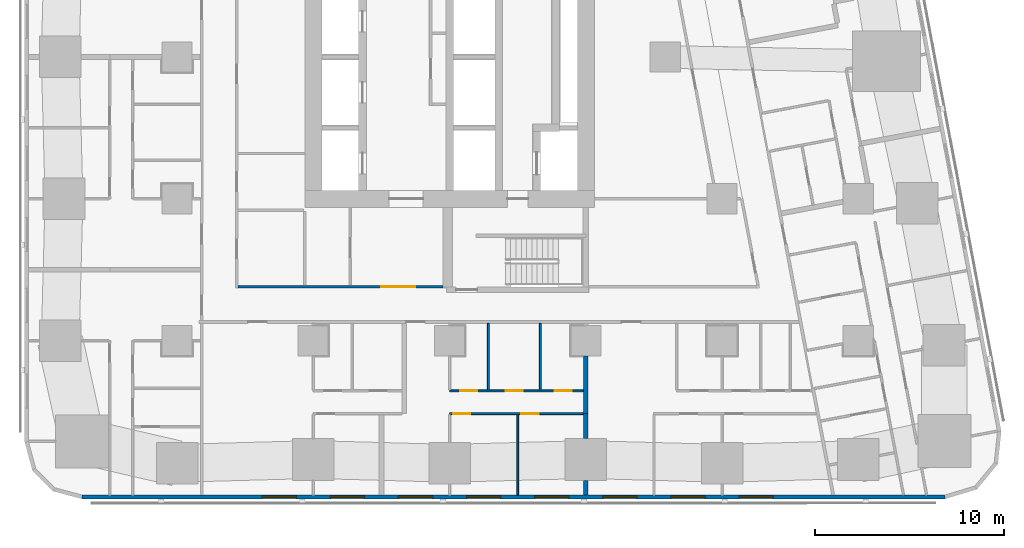
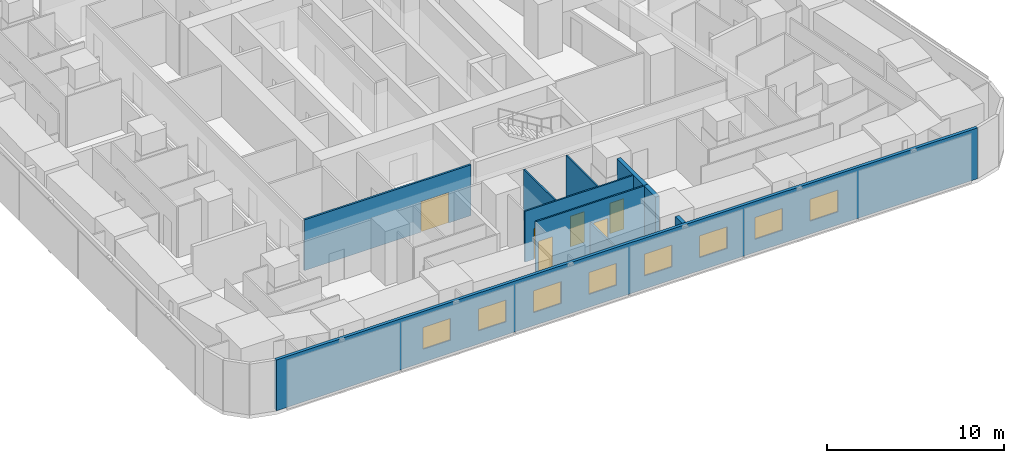
# One storey, part 3 of 17: 10 walls, 8 windows, 6 doors, 14 openings.
"""IFC4 building model written with IfcOpenShell, lengths in metres."""

from ifc_helpers import new_model, si_unit, direction, frame, frame_2d, origin, place, context, subcontext, project, spatial, rectangle, extrude, material, layer, layer_set, type_object, element, fill, save


model = new_model("IFC4")

# Units and contexts
model_context = context("Model", 3, precision=1e-05, world=origin(), true_north=direction((0.0, 1.0)))
body_context = subcontext(model_context, "Body", "Model", "MODEL_VIEW")
ifc_project = project(units=[si_unit("LENGTHUNIT", "METRE"), si_unit("AREAUNIT", "SQUARE_METRE"), si_unit("VOLUMEUNIT", "CUBIC_METRE"), si_unit("PLANEANGLEUNIT", "RADIAN"), si_unit("MASSUNIT", "GRAM", prefix="KILO")], contexts=[model_context])

# Site, building, storey
site_placement = place(None, origin())
site = spatial("IfcSite", under=ifc_project, at=site_placement, CompositionType="ELEMENT")
building_placement = place(site_placement, origin())
building = spatial("IfcBuilding", under=site, at=building_placement, Name="Sheger Commons Tower", CompositionType="ELEMENT")
storey_placement = place(building_placement, frame((0.0, 0.0, 111.64990234375)))
storey = spatial("IfcBuildingStorey", under=building, at=storey_placement, Name="L28", CompositionType="ELEMENT", Elevation=111.64990234375)

# Walls
ifc_material_1 = material(Name="Dense concrete block masonry, plastered both sides (separating wall between flats)", Category="masonry")
ifc_layer_1 = layer(ifc_material_1, 0.25)
ifc_layer_set_1 = layer_set([ifc_layer_1], Name="DEMISING WALL 250")
wall_type_1 = type_object("IfcWallType", Name="DEMISING WALL 250", PredefinedType="SOLIDWALL", material=ifc_layer_set_1)
wall_1_placement = place(storey_placement, frame((28.800048828125, -0.64990234375, 0.0), z_axis=(0.0, 0.0, 1.0), x_axis=(0.0, 1.0, 0.0)))
element("IfcWall", 1, at=wall_1_placement, inside=storey, type_object=wall_type_1, Name="Demising wall L28", PredefinedType="SOLIDWALL", context=body_context, shape_type="SweptSolid", body=[
    extrude(rectangle(XDim=0.77392578125, YDim=0.25, at=frame_2d((0.386962890625, 0.0))), origin(), (0.0, 0.0, 1.0), 3.5),
])
wall_2_placement = place(storey_placement, frame((28.800048828125, 2.325927734375, 0.0), z_axis=(0.0, 0.0, 1.0), x_axis=(0.0, 1.0, 0.0)))
element("IfcWall", 2, at=wall_2_placement, inside=storey, type_object=wall_type_1, Name="Demising wall L28", PredefinedType="SOLIDWALL", context=body_context, shape_type="SweptSolid", body=[
    extrude(rectangle(XDim=1.323974609375, YDim=0.25, at=frame_2d((0.662109375, 0.0))), origin(), (0.0, 0.0, 1.0), 3.5),
])
wall_3_placement = place(storey_placement, frame((28.800048828125, 3.64990234375, 0.0), z_axis=(0.0, 0.0, 1.0), x_axis=(0.0, 1.0, 0.0)))
element("IfcWall", 3, at=wall_3_placement, inside=storey, type_object=wall_type_1, Name="Demising wall L28", PredefinedType="SOLIDWALL", context=body_context, shape_type="SweptSolid", body=[
    extrude(rectangle(XDim=3.049072265625, YDim=0.25, at=frame_2d((1.5244140625, 0.0))), origin(), (0.0, 0.0, 1.0), 3.5),
])

# Wall, openings, windows
ifc_material_2 = material(Name="Rendered concrete block masonry, dark grey", Category="masonry")
ifc_layer_2 = layer(ifc_material_2, 0.199951171875)
ifc_layer_set_2 = layer_set([ifc_layer_2], Name="FACADE WALL 200")
wall_type_2 = type_object("IfcWallType", Name="FACADE WALL 200", PredefinedType="SOLIDWALL", material=ifc_layer_set_2)
wall_4_placement = place(storey_placement, frame((2.1630859375, -0.75, 0.0), z_axis=(0.0, 0.0, 1.0), x_axis=(1.0, 0.0, 0.0)))
wall_4 = element("IfcWall", 4, at=wall_4_placement, inside=storey, type_object=wall_type_2, Name="Facade wall L28", PredefinedType="SOLIDWALL", context=body_context, shape_type="SweptSolid", body=[
    extrude(rectangle(XDim=45.6279296875, YDim=0.199951171875, at=frame_2d((22.81396484375, 0.0))), origin(), (0.0, 0.0, 1.0), 3.5),
])
opening_1_placement = place(wall_4_placement, frame((9.537109375, 0.0, 0.89990234375)))
opening_1 = element("IfcOpeningElement", 5, at=opening_1_placement, cuts=wall_4, Name="Opening W2", PredefinedType="OPENING", context=body_context, shape_type="SweptSolid", body=[
    extrude(rectangle(XDim=1.800048828125, YDim=1.5, at=frame_2d((0.89990234375, 0.75))), frame((0.0, 0.10986328125, 0.0), z_axis=(0.0, -1.0, 0.0), x_axis=(1.0, 0.0, 0.0)), (0.0, 0.0, 1.0), 0.219970703125),
])
opening_2_placement = place(wall_4_placement, frame((13.136962890625, 0.0, 0.89990234375)))
opening_2 = element("IfcOpeningElement", 6, at=opening_2_placement, cuts=wall_4, Name="Opening W2", PredefinedType="OPENING", context=body_context, shape_type="SweptSolid", body=[
    extrude(rectangle(XDim=1.800048828125, YDim=1.5, at=frame_2d((0.89990234375, 0.75))), frame((0.0, 0.10986328125, 0.0), z_axis=(0.0, -1.0, 0.0), x_axis=(1.0, 0.0, 0.0)), (0.0, 0.0, 1.0), 0.219970703125),
])
opening_3_placement = place(wall_4_placement, frame((16.737060546875, 0.0, 0.89990234375)))
opening_3 = element("IfcOpeningElement", 7, at=opening_3_placement, cuts=wall_4, Name="Opening W2", PredefinedType="OPENING", context=body_context, shape_type="SweptSolid", body=[
    extrude(rectangle(XDim=1.800048828125, YDim=1.5, at=frame_2d((0.89990234375, 0.75))), frame((0.0, 0.10986328125, 0.0), z_axis=(0.0, -1.0, 0.0), x_axis=(1.0, 0.0, 0.0)), (0.0, 0.0, 1.0), 0.219970703125),
])
opening_4_placement = place(wall_4_placement, frame((20.3369140625, 0.0, 0.89990234375)))
opening_4 = element("IfcOpeningElement", 8, at=opening_4_placement, cuts=wall_4, Name="Opening W2", PredefinedType="OPENING", context=body_context, shape_type="SweptSolid", body=[
    extrude(rectangle(XDim=1.800048828125, YDim=1.5, at=frame_2d((0.89990234375, 0.75))), frame((0.0, 0.10986328125, 0.0), z_axis=(0.0, -1.0, 0.0), x_axis=(1.0, 0.0, 0.0)), (0.0, 0.0, 1.0), 0.219970703125),
])
opening_5_placement = place(wall_4_placement, frame((23.93701171875, 0.0, 0.89990234375)))
opening_5 = element("IfcOpeningElement", 9, at=opening_5_placement, cuts=wall_4, Name="Opening W2", PredefinedType="OPENING", context=body_context, shape_type="SweptSolid", body=[
    extrude(rectangle(XDim=1.800048828125, YDim=1.5, at=frame_2d((0.89990234375, 0.75))), frame((0.0, 0.10986328125, 0.0), z_axis=(0.0, -1.0, 0.0), x_axis=(1.0, 0.0, 0.0)), (0.0, 0.0, 1.0), 0.219970703125),
])
opening_6_placement = place(wall_4_placement, frame((27.537109375, 0.0, 0.89990234375)))
opening_6 = element("IfcOpeningElement", 10, at=opening_6_placement, cuts=wall_4, Name="Opening W2", PredefinedType="OPENING", context=body_context, shape_type="SweptSolid", body=[
    extrude(rectangle(XDim=1.800048828125, YDim=1.5, at=frame_2d((0.89990234375, 0.75))), frame((0.0, 0.10986328125, 0.0), z_axis=(0.0, -1.0, 0.0), x_axis=(1.0, 0.0, 0.0)), (0.0, 0.0, 1.0), 0.219970703125),
])
opening_7_placement = place(wall_4_placement, frame((31.136962890625, 0.0, 0.89990234375)))
opening_7 = element("IfcOpeningElement", 11, at=opening_7_placement, cuts=wall_4, Name="Opening W2", PredefinedType="OPENING", context=body_context, shape_type="SweptSolid", body=[
    extrude(rectangle(XDim=1.800048828125, YDim=1.5, at=frame_2d((0.89990234375, 0.75))), frame((0.0, 0.10986328125, 0.0), z_axis=(0.0, -1.0, 0.0), x_axis=(1.0, 0.0, 0.0)), (0.0, 0.0, 1.0), 0.219970703125),
])
opening_8_placement = place(wall_4_placement, frame((34.737060546875, 0.0, 0.89990234375)))
opening_8 = element("IfcOpeningElement", 12, at=opening_8_placement, cuts=wall_4, Name="Opening W2", PredefinedType="OPENING", context=body_context, shape_type="SweptSolid", body=[
    extrude(rectangle(XDim=1.800048828125, YDim=1.5, at=frame_2d((0.89990234375, 0.75))), frame((0.0, 0.10986328125, 0.0), z_axis=(0.0, -1.0, 0.0), x_axis=(1.0, 0.0, 0.0)), (0.0, 0.0, 1.0), 0.219970703125),
])
ifc_material_3 = material(Name="Black aluminium frame, dark tinted double glazing", Category="aluminium")
window_type = type_object("IfcWindowType", Name="WINDOW W2 1800x1500", PartitioningType="SINGLE_PANEL", PredefinedType="WINDOW", material=ifc_material_3)
window_1_placement = place(opening_1_placement, origin())
window_1 = element("IfcWindow", 13, at=window_1_placement, inside=storey, type_object=window_type, Name="Window W2 1800X1500", OverallHeight=1.5, OverallWidth=1.800048828125, PartitioningType="SINGLE_PANEL", PredefinedType="WINDOW", context=body_context, shape_type="SweptSolid", body=[
    extrude(rectangle(XDim=1.800048828125, YDim=1.5, at=frame_2d((0.89990234375, 0.75))), frame((0.0, 0.030029296875, 0.0), z_axis=(0.0, -1.0, 0.0), x_axis=(1.0, 0.0, 0.0)), (0.0, 0.0, 1.0), 0.06005859375),
])
fill(opening_1, window_1)
window_2_placement = place(opening_2_placement, origin())
window_2 = element("IfcWindow", 14, at=window_2_placement, inside=storey, type_object=window_type, Name="Window W2 1800X1500", OverallHeight=1.5, OverallWidth=1.800048828125, PartitioningType="SINGLE_PANEL", PredefinedType="WINDOW", context=body_context, shape_type="SweptSolid", body=[
    extrude(rectangle(XDim=1.800048828125, YDim=1.5, at=frame_2d((0.89990234375, 0.75))), frame((0.0, 0.030029296875, 0.0), z_axis=(0.0, -1.0, 0.0), x_axis=(1.0, 0.0, 0.0)), (0.0, 0.0, 1.0), 0.06005859375),
])
fill(opening_2, window_2)
window_3_placement = place(opening_3_placement, origin())
window_3 = element("IfcWindow", 15, at=window_3_placement, inside=storey, type_object=window_type, Name="Window W2 1800X1500", OverallHeight=1.5, OverallWidth=1.800048828125, PartitioningType="SINGLE_PANEL", PredefinedType="WINDOW", context=body_context, shape_type="SweptSolid", body=[
    extrude(rectangle(XDim=1.800048828125, YDim=1.5, at=frame_2d((0.89990234375, 0.75))), frame((0.0, 0.030029296875, 0.0), z_axis=(0.0, -1.0, 0.0), x_axis=(1.0, 0.0, 0.0)), (0.0, 0.0, 1.0), 0.06005859375),
])
fill(opening_3, window_3)
window_4_placement = place(opening_4_placement, origin())
window_4 = element("IfcWindow", 16, at=window_4_placement, inside=storey, type_object=window_type, Name="Window W2 1800X1500", OverallHeight=1.5, OverallWidth=1.800048828125, PartitioningType="SINGLE_PANEL", PredefinedType="WINDOW", context=body_context, shape_type="SweptSolid", body=[
    extrude(rectangle(XDim=1.800048828125, YDim=1.5, at=frame_2d((0.89990234375, 0.75))), frame((0.0, 0.030029296875, 0.0), z_axis=(0.0, -1.0, 0.0), x_axis=(1.0, 0.0, 0.0)), (0.0, 0.0, 1.0), 0.06005859375),
])
fill(opening_4, window_4)
window_5_placement = place(opening_5_placement, origin())
window_5 = element("IfcWindow", 17, at=window_5_placement, inside=storey, type_object=window_type, Name="Window W2 1800X1500", OverallHeight=1.5, OverallWidth=1.800048828125, PartitioningType="SINGLE_PANEL", PredefinedType="WINDOW", context=body_context, shape_type="SweptSolid", body=[
    extrude(rectangle(XDim=1.800048828125, YDim=1.5, at=frame_2d((0.89990234375, 0.75))), frame((0.0, 0.030029296875, 0.0), z_axis=(0.0, -1.0, 0.0), x_axis=(1.0, 0.0, 0.0)), (0.0, 0.0, 1.0), 0.06005859375),
])
fill(opening_5, window_5)
window_6_placement = place(opening_6_placement, origin())
window_6 = element("IfcWindow", 18, at=window_6_placement, inside=storey, type_object=window_type, Name="Window W2 1800X1500", OverallHeight=1.5, OverallWidth=1.800048828125, PartitioningType="SINGLE_PANEL", PredefinedType="WINDOW", context=body_context, shape_type="SweptSolid", body=[
    extrude(rectangle(XDim=1.800048828125, YDim=1.5, at=frame_2d((0.89990234375, 0.75))), frame((0.0, 0.030029296875, 0.0), z_axis=(0.0, -1.0, 0.0), x_axis=(1.0, 0.0, 0.0)), (0.0, 0.0, 1.0), 0.06005859375),
])
fill(opening_6, window_6)
window_7_placement = place(opening_7_placement, origin())
window_7 = element("IfcWindow", 19, at=window_7_placement, inside=storey, type_object=window_type, Name="Window W2 1800X1500", OverallHeight=1.5, OverallWidth=1.800048828125, PartitioningType="SINGLE_PANEL", PredefinedType="WINDOW", context=body_context, shape_type="SweptSolid", body=[
    extrude(rectangle(XDim=1.800048828125, YDim=1.5, at=frame_2d((0.89990234375, 0.75))), frame((0.0, 0.030029296875, 0.0), z_axis=(0.0, -1.0, 0.0), x_axis=(1.0, 0.0, 0.0)), (0.0, 0.0, 1.0), 0.06005859375),
])
fill(opening_7, window_7)
window_8_placement = place(opening_8_placement, origin())
window_8 = element("IfcWindow", 20, at=window_8_placement, inside=storey, type_object=window_type, Name="Window W2 1800X1500", OverallHeight=1.5, OverallWidth=1.800048828125, PartitioningType="SINGLE_PANEL", PredefinedType="WINDOW", context=body_context, shape_type="SweptSolid", body=[
    extrude(rectangle(XDim=1.800048828125, YDim=1.5, at=frame_2d((0.89990234375, 0.75))), frame((0.0, 0.030029296875, 0.0), z_axis=(0.0, -1.0, 0.0), x_axis=(1.0, 0.0, 0.0)), (0.0, 0.0, 1.0), 0.06005859375),
])
fill(opening_8, window_8)

# Wall, openings, doors
ifc_material_4 = material(Name="Gypsum board on steel studs", Category="steel")
ifc_layer_3 = layer(ifc_material_4, 0.10009765625)
ifc_layer_set_3 = layer_set([ifc_layer_3], Name="PARTITION 100")
wall_type_3 = type_object("IfcWallType", Name="PARTITION 100", PredefinedType="PARTITIONING", material=ifc_layer_set_3)
wall_5_placement = place(storey_placement, frame((28.675048828125, 3.64990234375, 0.0), z_axis=(0.0, 0.0, 1.0), x_axis=(-1.0, 0.0, 0.0)))
wall_5 = element("IfcWall", 21, at=wall_5_placement, inside=storey, type_object=wall_type_3, Name="Partition L28", PredefinedType="PARTITIONING", context=body_context, shape_type="SweptSolid", body=[
    extrude(rectangle(XDim=7.074951171875, YDim=0.10009765625, at=frame_2d((3.53759765625, 0.0))), origin(), (0.0, 0.0, 1.0), 3.5),
])
opening_9_placement = place(wall_5_placement, frame((5.97509765625, 0.0, 0.0)))
opening_9 = element("IfcOpeningElement", 22, at=opening_9_placement, cuts=wall_5, Name="Opening D2", PredefinedType="OPENING", context=body_context, shape_type="SweptSolid", body=[
    extrude(rectangle(XDim=0.89990234375, YDim=2.10009765625, at=frame_2d((0.449951171875, 1.050048828125))), frame((0.0, 0.06005859375, 0.0), z_axis=(0.0, -1.0, 0.0), x_axis=(1.0, 0.0, 0.0)), (0.0, 0.0, 1.0), 0.1201171875),
])
opening_10_placement = place(wall_5_placement, frame((2.375, 0.0, 0.0)))
opening_10 = element("IfcOpeningElement", 23, at=opening_10_placement, cuts=wall_5, Name="Opening D2", PredefinedType="OPENING", context=body_context, shape_type="SweptSolid", body=[
    extrude(rectangle(XDim=0.89990234375, YDim=2.10009765625, at=frame_2d((0.449951171875, 1.050048828125))), frame((0.0, 0.06005859375, 0.0), z_axis=(0.0, -1.0, 0.0), x_axis=(1.0, 0.0, 0.0)), (0.0, 0.0, 1.0), 0.1201171875),
])
ifc_material_5 = material(Name="Timber door set", Category="wood")
door_type_1 = type_object("IfcDoorType", Name="INTERNAL DOOR 900x2100", OperationType="NOTDEFINED", PredefinedType="DOOR", material=ifc_material_5)
door_1_placement = place(opening_9_placement, origin())
door_1 = element("IfcDoor", 24, at=door_1_placement, inside=storey, type_object=door_type_1, Name="Main bedroom door", OperationType="SINGLE_SWING_RIGHT", OverallHeight=2.10009765625, OverallWidth=0.89990234375, PredefinedType="DOOR", context=body_context, shape_type="SweptSolid", body=[
    extrude(rectangle(XDim=0.89990234375, YDim=2.10009765625, at=frame_2d((0.449951171875, 1.050048828125))), frame((0.0, 0.02490234375, 0.0), z_axis=(0.0, -1.0, 0.0), x_axis=(1.0, 0.0, 0.0)), (0.0, 0.0, 1.0), 0.050048828125),
])
fill(opening_9, door_1)
door_2_placement = place(opening_10_placement, origin())
door_2 = element("IfcDoor", 25, at=door_2_placement, inside=storey, type_object=door_type_1, Name="Bedroom 2 door", OperationType="SINGLE_SWING_RIGHT", OverallHeight=2.10009765625, OverallWidth=0.89990234375, PredefinedType="DOOR", context=body_context, shape_type="SweptSolid", body=[
    extrude(rectangle(XDim=0.89990234375, YDim=2.10009765625, at=frame_2d((0.449951171875, 1.050048828125))), frame((0.0, 0.02490234375, 0.0), z_axis=(0.0, -1.0, 0.0), x_axis=(1.0, 0.0, 0.0)), (0.0, 0.0, 1.0), 0.050048828125),
])
fill(opening_10, door_2)

wall_6_placement = place(storey_placement, frame((28.675048828125, 4.85009765625, 0.0), z_axis=(0.0, 0.0, 1.0), x_axis=(-1.0, 0.0, 0.0)))
wall_6 = element("IfcWall", 26, at=wall_6_placement, inside=storey, type_object=wall_type_3, Name="Partition L28", PredefinedType="PARTITIONING", context=body_context, shape_type="SweptSolid", body=[
    extrude(rectangle(XDim=7.074951171875, YDim=0.10009765625, at=frame_2d((3.53759765625, 0.0))), origin(), (0.0, 0.0, 1.0), 3.5),
])
opening_11_placement = place(wall_6_placement, frame((5.60009765625, 0.0, 0.0)))
opening_11 = element("IfcOpeningElement", 27, at=opening_11_placement, cuts=wall_6, Name="Opening D2", PredefinedType="OPENING", context=body_context, shape_type="SweptSolid", body=[
    extrude(rectangle(XDim=0.89990234375, YDim=2.10009765625, at=frame_2d((0.449951171875, 1.050048828125))), frame((0.0, 0.06005859375, 0.0), z_axis=(0.0, -1.0, 0.0), x_axis=(1.0, 0.0, 0.0)), (0.0, 0.0, 1.0), 0.1201171875),
])
opening_12_placement = place(wall_6_placement, frame((0.6259765625, 0.0, 0.0)))
opening_12 = element("IfcOpeningElement", 28, at=opening_12_placement, cuts=wall_6, Name="Opening D2", PredefinedType="OPENING", context=body_context, shape_type="SweptSolid", body=[
    extrude(rectangle(XDim=0.89990234375, YDim=2.10009765625, at=frame_2d((0.449951171875, 1.050048828125))), frame((0.0, 0.06005859375, 0.0), z_axis=(0.0, -1.0, 0.0), x_axis=(1.0, 0.0, 0.0)), (0.0, 0.0, 1.0), 0.1201171875),
])
opening_13_placement = place(wall_6_placement, frame((3.200927734375, 0.0, 0.0)))
opening_13 = element("IfcOpeningElement", 29, at=opening_13_placement, cuts=wall_6, Name="Opening D2", PredefinedType="OPENING", context=body_context, shape_type="SweptSolid", body=[
    extrude(rectangle(XDim=0.89990234375, YDim=2.10009765625, at=frame_2d((0.449951171875, 1.050048828125))), frame((0.0, 0.06005859375, 0.0), z_axis=(0.0, -1.0, 0.0), x_axis=(1.0, 0.0, 0.0)), (0.0, 0.0, 1.0), 0.1201171875),
])
door_3_placement = place(opening_11_placement, origin())
door_3 = element("IfcDoor", 30, at=door_3_placement, inside=storey, type_object=door_type_1, Name="Bathroom door", OperationType="SINGLE_SWING_LEFT", OverallHeight=2.10009765625, OverallWidth=0.89990234375, PredefinedType="DOOR", context=body_context, shape_type="SweptSolid", body=[
    extrude(rectangle(XDim=0.89990234375, YDim=2.10009765625, at=frame_2d((0.449951171875, 1.050048828125))), frame((0.0, 0.02490234375, 0.0), z_axis=(0.0, -1.0, 0.0), x_axis=(1.0, 0.0, 0.0)), (0.0, 0.0, 1.0), 0.050048828125),
])
fill(opening_11, door_3)
door_4_placement = place(opening_12_placement, origin())
door_4 = element("IfcDoor", 31, at=door_4_placement, inside=storey, type_object=door_type_1, Name="Laundry room door", OperationType="SINGLE_SWING_RIGHT", OverallHeight=2.10009765625, OverallWidth=0.89990234375, PredefinedType="DOOR", context=body_context, shape_type="SweptSolid", body=[
    extrude(rectangle(XDim=0.89990234375, YDim=2.10009765625, at=frame_2d((0.449951171875, 1.050048828125))), frame((0.0, 0.02490234375, 0.0), z_axis=(0.0, -1.0, 0.0), x_axis=(1.0, 0.0, 0.0)), (0.0, 0.0, 1.0), 0.050048828125),
])
fill(opening_12, door_4)
door_5_placement = place(opening_13_placement, origin())
door_5 = element("IfcDoor", 32, at=door_5_placement, inside=storey, type_object=door_type_1, Name="Store door", OperationType="SINGLE_SWING_RIGHT", OverallHeight=2.10009765625, OverallWidth=0.89990234375, PredefinedType="DOOR", context=body_context, shape_type="SweptSolid", body=[
    extrude(rectangle(XDim=0.89990234375, YDim=2.10009765625, at=frame_2d((0.449951171875, 1.050048828125))), frame((0.0, 0.02490234375, 0.0), z_axis=(0.0, -1.0, 0.0), x_axis=(1.0, 0.0, 0.0)), (0.0, 0.0, 1.0), 0.050048828125),
])
fill(opening_13, door_5)

# Walls
wall_7_placement = place(storey_placement, frame((25.199951171875, -0.64990234375, 0.0), z_axis=(0.0, 0.0, 1.0), x_axis=(0.0, 1.0, 0.0)))
element("IfcWall", 33, at=wall_7_placement, inside=storey, type_object=wall_type_3, Name="Partition L28", PredefinedType="PARTITIONING", context=body_context, shape_type="SweptSolid", body=[
    extrude(rectangle(XDim=4.25, YDim=0.10009765625, at=frame_2d((2.125, 0.0))), origin(), (0.0, 0.0, 1.0), 2.2001953125),
])
for number, where, z_axis, x_axis, name in (
    (34, (26.39892578125, 4.89990234375, 0.0), (0.0, 0.0, 1.0), (0.0, 1.0, 0.0), "Partition L28"),
    (35, (23.64990234375, 4.89990234375, 0.0), (0.0, 0.0, 1.0), (0.0, 1.0, 0.0), "Partition L28"),
):
    element("IfcWall", number, at=place(storey_placement, frame(where, z_axis=z_axis, x_axis=x_axis)), inside=storey, type_object=wall_type_3, Name=name, PredefinedType="PARTITIONING", context=body_context, shape_type="SweptSolid", body=[
        extrude(rectangle(XDim=3.525146484375, YDim=0.10009765625, at=frame_2d((1.7626953125, 0.0))), origin(), (0.0, 0.0, 1.0), 3.5),
    ])

# Wall, opening, door
ifc_material_6 = material(Name="Gypsum board on steel studs, two layers each side, fire rated", Category="steel")
ifc_layer_4 = layer(ifc_material_6, 0.125)
ifc_layer_set_4 = layer_set([ifc_layer_4], Name="SERVICE WALL 125")
wall_type_4 = type_object("IfcWallType", Name="SERVICE WALL 125", PredefinedType="PARTITIONING", material=ifc_layer_set_4)
wall_8_placement = place(storey_placement, frame((10.4130859375, 10.35009765625, 0.0), z_axis=(0.0, 0.0, 1.0), x_axis=(1.0, 0.0, 0.0)))
wall_8 = element("IfcWall", 36, at=wall_8_placement, inside=storey, type_object=wall_type_4, Name="Service room wall L28", PredefinedType="PARTITIONING", context=body_context, shape_type="SweptSolid", body=[
    extrude(rectangle(XDim=10.8369140625, YDim=0.125, at=frame_2d((5.41845703125, 0.0))), origin(), (0.0, 0.0, 1.0), 3.5),
])
opening_14_placement = place(wall_8_placement, frame((7.58203125, 0.0, 0.0)))
opening_14 = element("IfcOpeningElement", 37, at=opening_14_placement, cuts=wall_8, Name="Opening D6", PredefinedType="OPENING", context=body_context, shape_type="SweptSolid", body=[
    extrude(rectangle(XDim=1.800048828125, YDim=2.10009765625, at=frame_2d((0.89990234375, 1.050048828125))), frame((0.0, 0.072509765625, 0.0), z_axis=(0.0, -1.0, 0.0), x_axis=(1.0, 0.0, 0.0)), (0.0, 0.0, 1.0), 0.14501953125),
])
ifc_material_7 = material(Name="Steel door set, fire rated", Category="steel")
door_type_2 = type_object("IfcDoorType", Name="LOBBY DOUBLE DOOR 1800x2100", OperationType="DOUBLE_DOOR_SINGLE_SWING", PredefinedType="DOOR", material=ifc_material_7)
door_6_placement = place(opening_14_placement, origin())
door_6 = element("IfcDoor", 38, at=door_6_placement, inside=storey, type_object=door_type_2, Name="Lift lobby south door", OperationType="DOUBLE_DOOR_SINGLE_SWING", OverallHeight=2.10009765625, OverallWidth=1.800048828125, PredefinedType="DOOR", context=body_context, shape_type="SweptSolid", body=[
    extrude(rectangle(XDim=1.800048828125, YDim=2.10009765625, at=frame_2d((0.89990234375, 1.050048828125))), frame((0.0, 0.02490234375, 0.0), z_axis=(0.0, -1.0, 0.0), x_axis=(1.0, 0.0, 0.0)), (0.0, 0.0, 1.0), 0.050048828125),
])
fill(opening_14, door_6)

save(model, "model.ifc")
